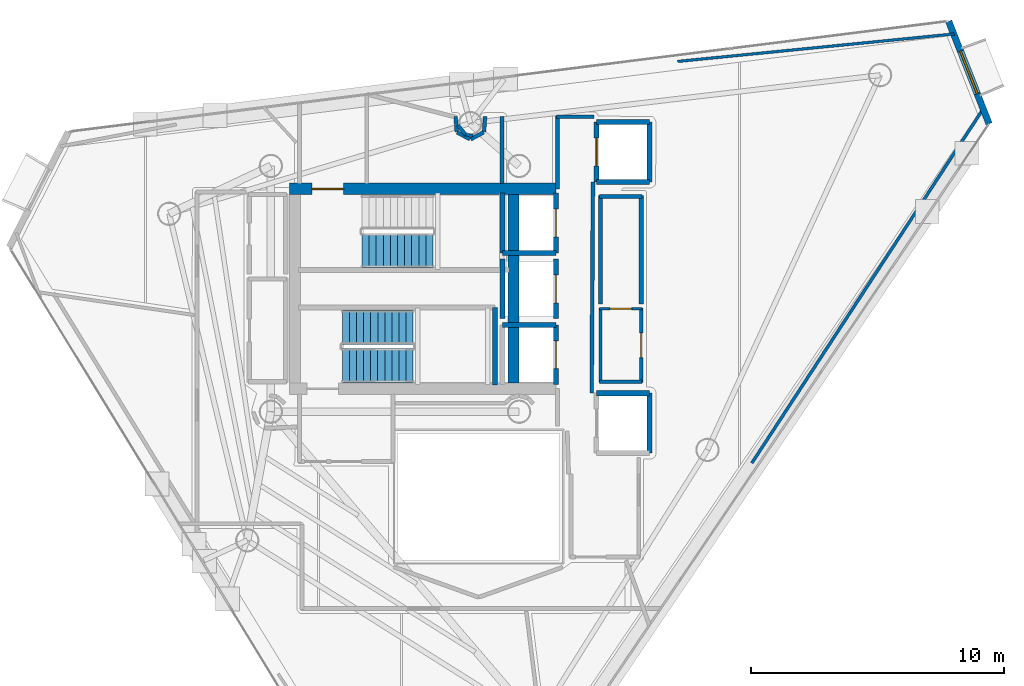
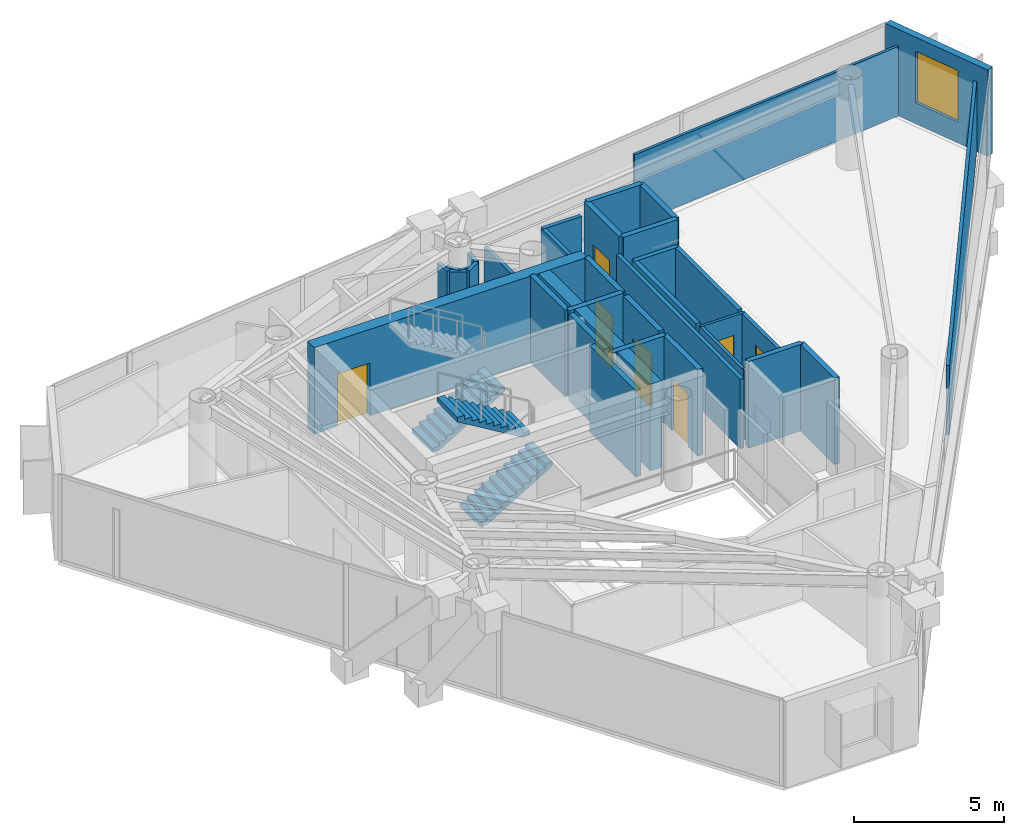
# One storey, part 20 of 23: 36 walls, 7 doors, 3 stair flights, 1 window, 8 openings, 2 elements without a shape of their own.
"""IFC4 building model written with IfcOpenShell, lengths in metres."""

from ifc_helpers import new_model, si_unit, direction, frame, frame_2d, origin, place, context, subcontext, project, spatial, polyline, rectangle, outline, extrude, material, layer, layer_set, type_object, element, fill, aggregate, save


model = new_model("IFC4")

# Units and contexts
model_context = context("Model", 3, precision=1e-05, world=origin(), true_north=direction((0.0, 1.0)))
body_context = subcontext(model_context, "Body", "Model", "MODEL_VIEW")
ifc_project = project(units=[si_unit("LENGTHUNIT", "METRE"), si_unit("AREAUNIT", "SQUARE_METRE"), si_unit("VOLUMEUNIT", "CUBIC_METRE"), si_unit("PLANEANGLEUNIT", "RADIAN"), si_unit("MASSUNIT", "GRAM", prefix="KILO")], contexts=[model_context])

# Site, building, storey
site_placement = place(None, origin())
site = spatial("IfcSite", under=ifc_project, at=site_placement, CompositionType="ELEMENT")
building_placement = place(site_placement, origin())
building = spatial("IfcBuilding", under=site, at=building_placement, Name="Qianvela Tower", CompositionType="ELEMENT")
storey_placement = place(building_placement, frame((0.0, 0.0, 284.300048828125)))
storey = spatial("IfcBuildingStorey", under=building, at=storey_placement, Name="L73", CompositionType="ELEMENT", Elevation=284.300048828125)

# Wall, opening, window
ifc_material_1 = material(Name="Terracotta Cladding on Concrete C40", Category="masonry")
ifc_layer_1 = layer(ifc_material_1, 0.260009765625)
ifc_layer_set_1 = layer_set([ifc_layer_1], Name="Terracotta Cladding on Concrete C40")
wall_type_1 = type_object("IfcWallType", Name="TERRACOTTA-WALL-260", PredefinedType="SOLIDWALL", material=ifc_layer_set_1)
wall_1_placement = place(storey_placement, frame((56.950927734375, 35.212890625, 0.0), z_axis=(0.0, 0.0, 1.0), x_axis=(-0.366445085985, 0.930439680451, 0.0)))
wall_1 = element("IfcWall", 1, at=wall_1_placement, inside=storey, type_object=wall_type_1, Name="L73 Terracotta Chamfer Facet Wall 1", PredefinedType="SOLIDWALL", context=body_context, shape_type="SweptSolid", body=[
    extrude(rectangle(XDim=4.35400390625, YDim=0.260009765625, at=frame_2d((2.177001953125, 0.0))), origin(), (0.0, 0.0, 1.0), 3.52001953125),
])
opening_1_placement = place(wall_1_placement, frame((1.27685546875, 0.0, 0.85009765625)))
opening_1 = element("IfcOpeningElement", 2, at=opening_1_placement, cuts=wall_1, Name="Opening W-01", PredefinedType="OPENING", context=body_context, shape_type="SweptSolid", body=[
    extrude(rectangle(XDim=1.800048828125, YDim=2.10009765625, at=frame_2d((0.89990234375, 1.050048828125))), frame((0.0, 0.139892578125, 0.0), z_axis=(0.0, -1.0, 0.0), x_axis=(1.0, 0.0, 0.0)), (0.0, 0.0, 1.0), 0.280029296875),
])
ifc_material_2 = material(Name="Thermally Broken Aluminium and Low-E Glass", Category="aluminium")
window_type = type_object("IfcWindowType", Name="WIN-TC-1800x2100", PartitioningType="DOUBLE_PANEL_VERTICAL", PredefinedType="WINDOW", material=ifc_material_2)
window_placement = place(opening_1_placement, origin())
window = element("IfcWindow", 3, at=window_placement, inside=storey, type_object=window_type, Name="L73 Chamfer Facet Window 1.1", OverallHeight=2.10009765625, OverallWidth=1.800048828125, PartitioningType="SINGLE_PANEL", PredefinedType="WINDOW", context=body_context, shape_type="SweptSolid", body=[
    extrude(rectangle(XDim=1.800048828125, YDim=2.10009765625, at=frame_2d((0.89990234375, 1.050048828125))), frame((0.0, 0.030029296875, 0.0), z_axis=(0.0, -1.0, 0.0), x_axis=(1.0, 0.0, 0.0)), (0.0, 0.0, 1.0), 0.06005859375),
])
fill(opening_1, window)

# Wall, opening, door
ifc_material_3 = material(Name="Concrete C50", Category="concrete")
ifc_layer_2 = layer(ifc_material_3, 0.449951171875)
ifc_layer_set_2 = layer_set([ifc_layer_2], Name="Concrete C50")
wall_type_2 = type_object("IfcWallType", Name="WT-CORE-450", PredefinedType="SHEAR", material=ifc_layer_set_2)
wall_2_placement = place(storey_placement, frame((29.330078125, 32.64501953125, 0.0), z_axis=(0.0, 0.0, 1.0), x_axis=(1.0, 0.0, 0.0)))
wall_2 = element("IfcWall", 4, at=wall_2_placement, inside=storey, type_object=wall_type_2, Name="L73 North Core Shear Wall", PredefinedType="SHEAR", context=body_context, shape_type="SweptSolid", body=[
    extrude(rectangle(XDim=10.52001953125, YDim=0.449951171875, at=frame_2d((5.260009765625, 0.0))), origin(), (0.0, 0.0, 1.0), 3.52001953125),
])
opening_2_placement = place(wall_2_placement, frame((0.89501953125, 0.0, 0.0)))
opening_2 = element("IfcOpeningElement", 5, at=opening_2_placement, cuts=wall_2, Name="Opening D-ST1", PredefinedType="OPENING", context=body_context, shape_type="SweptSolid", body=[
    extrude(rectangle(XDim=1.25, YDim=2.14990234375, at=frame_2d((0.625, 1.074951171875))), frame((0.0, 0.23486328125, 0.0), z_axis=(0.0, -1.0, 0.0), x_axis=(1.0, 0.0, 0.0)), (0.0, 0.0, 1.0), 0.469970703125),
])
ifc_material_4 = material(Name="Galvanised Fire Steel Q355B", Category="steel")
door_type_1 = type_object("IfcDoorType", Name="DT-STAIR-FD90", OperationType="NOTDEFINED", PredefinedType="DOOR", material=ifc_material_4)
door_1_placement = place(opening_2_placement, origin())
door_1 = element("IfcDoor", 6, at=door_1_placement, inside=storey, type_object=door_type_1, Name="L73 Stair ST-1 Exit Door", OperationType="SINGLE_SWING_RIGHT", OverallHeight=2.14990234375, OverallWidth=1.25, PredefinedType="DOOR", context=body_context, shape_type="SweptSolid", body=[
    extrude(rectangle(XDim=1.25, YDim=2.14990234375, at=frame_2d((0.625, 1.074951171875))), frame((0.0, 0.02490234375, 0.0), z_axis=(0.0, -1.0, 0.0), x_axis=(1.0, 0.0, 0.0)), (0.0, 0.0, 1.0), 0.050048828125),
])
fill(opening_2, door_1)

# Walls
wall_3_placement = place(storey_placement, frame((38.179931640625, 24.97998046875, 0.0), z_axis=(0.0, 0.0, 1.0), x_axis=(0.0, 1.0, 0.0)))
element("IfcWall", 7, at=wall_3_placement, inside=storey, type_object=wall_type_2, Name="L73 East Spine Core Shear Wall", PredefinedType="SHEAR", context=body_context, shape_type="SweptSolid", body=[
    extrude(rectangle(XDim=7.43994140625, YDim=0.449951171875, at=frame_2d((3.719970703125, 0.0))), origin(), (0.0, 0.0, 1.0), 3.52001953125),
])
ifc_material_5 = material(Name="Fire-Rated Acoustic Gypsum Board")
ifc_layer_3 = layer(ifc_material_5, 0.14990234375)
ifc_layer_set_3 = layer_set([ifc_layer_3], Name="Fire-Rated Acoustic Gypsum Board")
wall_type_3 = type_object("IfcWallType", Name="WT-CORR-150", PredefinedType="PARTITIONING", material=ifc_layer_set_3)
wall_4_placement = place(storey_placement, frame((39.910888671875, 32.639892578125, 0.0), z_axis=(0.0, 0.0, 1.0), x_axis=(0.0, 1.0, 0.0)))
element("IfcWall", 8, at=wall_4_placement, inside=storey, type_object=wall_type_3, Name="L73 Partition 12", PredefinedType="PARTITIONING", context=body_context, shape_type="SweptSolid", body=[
    extrude(rectangle(XDim=2.880126953125, YDim=0.14990234375, at=frame_2d((1.43994140625, 0.0))), origin(), (0.0, 0.0, 1.0), 2.83984375),
])
wall_5_placement = place(storey_placement, frame((39.8798828125, 35.489013671875, 0.0), z_axis=(0.0, 0.0, 1.0), x_axis=(1.0, 0.0, 0.0)))
element("IfcWall", 9, at=wall_5_placement, inside=storey, type_object=wall_type_3, Name="L73 Partition 13", PredefinedType="PARTITIONING", context=body_context, shape_type="SweptSolid", body=[
    extrude(rectangle(XDim=1.480224609375, YDim=0.14990234375, at=frame_2d((0.740234375, 0.0))), origin(), (0.0, 0.0, 1.0), 2.83984375),
])
wall_6_placement = place(storey_placement, frame((41.3134765625, 32.919921875, 0.0), z_axis=(0.0, 0.0, 1.0), x_axis=(-0.005942518022, -0.999982343084, 0.0)))
element("IfcWall", 10, at=wall_6_placement, inside=storey, type_object=wall_type_3, Name="L73 Partition 14 seg 2", PredefinedType="PARTITIONING", context=body_context, shape_type="SweptSolid", body=[
    extrude(rectangle(XDim=8.340087890625, YDim=0.14990234375, at=frame_2d((4.169921875, 0.0))), origin(), (0.0, 0.0, 1.0), 2.83984375),
])
wall_7_placement = place(storey_placement, frame((35.89404296875, 35.497802734375, 0.0), z_axis=(0.0, 0.0, 1.0), x_axis=(0.07354059826, -0.997292224179, 0.0)))
element("IfcWall", 11, at=wall_7_placement, inside=storey, type_object=wall_type_3, Name="L73 Partition 56", PredefinedType="PARTITIONING", context=body_context, shape_type="SweptSolid", body=[
    extrude(rectangle(XDim=0.59765625, YDim=0.14990234375, at=frame_2d((0.298828125, 0.0))), origin(), (0.0, 0.0, 1.0), 2.83984375),
])
for number, where, z_axis, x_axis, name in (
    (12, (35.9541015625, 34.876708984375, 0.0), (0.0, 0.0, 1.0), (0.882047254832, -0.471160949405, 0.0), "L73 Partition 57"),
    (13, (36.490478515625, 34.605712890625, 0.0), (0.0, 0.0, 1.0), (0.882047254832, 0.471160949405, 0.0), "L73 Partition 58"),
):
    element("IfcWall", number, at=place(storey_placement, frame(where, z_axis=z_axis, x_axis=x_axis)), inside=storey, type_object=wall_type_3, Name=name, PredefinedType="PARTITIONING", context=body_context, shape_type="SweptSolid", body=[
        extrude(rectangle(XDim=0.5751953125, YDim=0.14990234375, at=frame_2d((0.28759765625, 0.0))), origin(), (0.0, 0.0, 1.0), 2.83984375),
    ])
wall_8_placement = place(storey_placement, frame((37.01416015625, 34.90185546875, 0.0), z_axis=(0.0, 0.0, 1.0), x_axis=(0.073134230676, 0.997322106595, 0.0)))
element("IfcWall", 14, at=wall_8_placement, inside=storey, type_object=wall_type_3, Name="L73 Partition 59", PredefinedType="PARTITIONING", context=body_context, shape_type="SweptSolid", body=[
    extrude(rectangle(XDim=0.59765625, YDim=0.14990234375, at=frame_2d((0.298828125, 0.0))), origin(), (0.0, 0.0, 1.0), 2.83984375),
])
wall_9_placement = place(storey_placement, frame((37.718994140625, 35.5, 0.0), z_axis=(0.0, 0.0, 1.0), x_axis=(0.0, -1.0, 0.0)))
element("IfcWall", 15, at=wall_9_placement, inside=storey, type_object=wall_type_3, Name="L73 Partition 61", PredefinedType="PARTITIONING", context=body_context, shape_type="SweptSolid", body=[
    extrude(rectangle(XDim=2.64208984375, YDim=0.14990234375, at=frame_2d((1.321044921875, 0.0))), origin(), (0.0, 0.0, 1.0), 2.83984375),
])

# Wall, opening, door
ifc_material_6 = material(Name="Lightweight Gypsum Room Partition")
ifc_layer_4 = layer(ifc_material_6, 0.10498046875)
ifc_layer_set_4 = layer_set([ifc_layer_4], Name="Lightweight Gypsum Room Partition")
wall_type_4 = type_object("IfcWallType", Name="WT-PART-105", PredefinedType="PARTITIONING", material=ifc_layer_set_4)
wall_10_placement = place(storey_placement, frame((41.580078125, 27.9189453125, 0.0), z_axis=(0.0, 0.0, 1.0), x_axis=(1.0, 0.0, 0.0)))
wall_10 = element("IfcWall", 16, at=wall_10_placement, inside=storey, type_object=wall_type_4, Name="L73 Partition 21", PredefinedType="PARTITIONING", context=body_context, shape_type="SweptSolid", body=[
    extrude(rectangle(XDim=1.669921875, YDim=0.10498046875, at=frame_2d((0.8349609375, 0.0))), origin(), (0.0, 0.0, 1.0), 2.83984375),
])
opening_3_placement = place(wall_10_placement, frame((0.405029296875, 0.0, 0.0)))
opening_3 = element("IfcOpeningElement", 17, at=opening_3_placement, cuts=wall_10, Name="Opening D-WC1", PredefinedType="OPENING", context=body_context, shape_type="SweptSolid", body=[
    extrude(rectangle(XDim=0.860107421875, YDim=2.050048828125, at=frame_2d((0.43017578125, 1.02490234375))), frame((0.0, 0.0625, 0.0), z_axis=(0.0, -1.0, 0.0), x_axis=(1.0, 0.0, 0.0)), (0.0, 0.0, 1.0), 0.125),
])
ifc_material_7 = material(Name="Moisture-Sealed Acoustic Timber Door", Category="wood")
door_type_2 = type_object("IfcDoorType", Name="DT-WC-860", OperationType="NOTDEFINED", PredefinedType="DOOR", material=ifc_material_7)
door_2_placement = place(opening_3_placement, origin())
door_2 = element("IfcDoor", 18, at=door_2_placement, inside=storey, type_object=door_type_2, Name="L73 Door L73 Accessible WC to L73 Cleaner Store", OperationType="SINGLE_SWING_LEFT", OverallHeight=2.050048828125, OverallWidth=0.860107421875, PredefinedType="DOOR", context=body_context, shape_type="SweptSolid", body=[
    extrude(rectangle(XDim=0.860107421875, YDim=2.050048828125, at=frame_2d((0.43017578125, 1.02490234375))), frame((0.0, 0.02490234375, 0.0), z_axis=(0.0, -1.0, 0.0), x_axis=(1.0, 0.0, 0.0)), (0.0, 0.0, 1.0), 0.050048828125),
])
fill(opening_3, door_2)

# Walls
wall_11_placement = place(storey_placement, frame((36.57861328125, 34.75390625, 0.0), z_axis=(0.0, 0.0, 1.0), x_axis=(-0.994396027142, 0.105719161958, 0.0)))
element("IfcWall", 19, at=wall_11_placement, inside=storey, type_object=wall_type_4, Name="L73 Partition 96", PredefinedType="PARTITIONING", context=body_context, shape_type="SweptSolid", body=[
    extrude(rectangle(XDim=0.30712890625, YDim=0.10498046875, at=frame_2d((0.153564453125, 0.0))), origin(), (0.0, 0.0, 1.0), 2.83984375),
])
wall_12_placement = place(storey_placement, frame((44.6591796875, 37.677001953125, 0.0), z_axis=(0.0, 0.0, 1.0), x_axis=(0.995102645086, 0.098846981454, 0.0)))
element("IfcWall", 20, at=wall_12_placement, inside=storey, type_object=wall_type_4, Name="L73 Partition 99 seg 1", PredefinedType="PARTITIONING", context=body_context, shape_type="SweptSolid", body=[
    extrude(rectangle(XDim=10.96875, YDim=0.10498046875, at=frame_2d((5.484375, 0.0))), origin(), (0.0, 0.0, 1.0), 2.83984375),
])
ifc_material_8 = material(Name="Insulated Gypsum Stud Partition")
ifc_layer_5 = layer(ifc_material_8, 0.1201171875)
ifc_layer_set_5 = layer_set([ifc_layer_5], Name="Insulated Gypsum Stud Partition")
wall_type_5 = type_object("IfcWallType", Name="WT-PART-120", PredefinedType="PARTITIONING", material=ifc_layer_set_5)
wall_13_placement = place(storey_placement, frame((41.611083984375, 25.0, 0.0), z_axis=(0.0, 0.0, 1.0), x_axis=(0.0, 1.0, 0.0)))
element("IfcWall", 21, at=wall_13_placement, inside=storey, type_object=wall_type_5, Name="L73 Partition 20", PredefinedType="PARTITIONING", context=body_context, shape_type="SweptSolid", body=[
    extrude(rectangle(XDim=2.949951171875, YDim=0.1201171875, at=frame_2d((1.47509765625, 0.0))), origin(), (0.0, 0.0, 1.0), 2.83984375),
])
wall_14_placement = place(storey_placement, frame((56.728515625, 35.822509765625, 0.0), z_axis=(0.0, 0.0, 1.0), x_axis=(-0.546793705669, -0.83726736676, 0.0)))
element("IfcWall", 22, at=wall_14_placement, inside=storey, type_object=wall_type_5, Name="L73 Partition 101 seg 1", PredefinedType="PARTITIONING", context=body_context, shape_type="SweptSolid", body=[
    extrude(rectangle(XDim=16.719970703125, YDim=0.1201171875, at=frame_2d((8.35986328125, 0.0))), origin(), (0.0, 0.0, 1.0), 2.83984375),
])
ifc_material_9 = material(Name="Sanitary Service Chase Partition")
ifc_layer_6 = layer(ifc_material_9, 0.1650390625)
ifc_layer_set_6 = layer_set([ifc_layer_6], Name="Sanitary Service Chase Partition")
wall_type_6 = type_object("IfcWallType", Name="WT-PLUMB-165", PredefinedType="PLUMBINGWALL", material=ifc_layer_set_6)
wall_15_placement = place(storey_placement, frame((41.611083984375, 28.110107421875, 0.0), z_axis=(0.0, 0.0, 1.0), x_axis=(0.0, 1.0, 0.0)))
element("IfcWall", 23, at=wall_15_placement, inside=storey, type_object=wall_type_6, Name="L73 Partition 24", PredefinedType="PLUMBINGWALL", context=body_context, shape_type="SweptSolid", body=[
    extrude(rectangle(XDim=4.269775390625, YDim=0.1650390625, at=frame_2d((2.134765625, 0.0))), origin(), (0.0, 0.0, 1.0), 2.83984375),
])
wall_16_placement = place(storey_placement, frame((41.580078125, 32.34912109375, 0.0), z_axis=(0.0, 0.0, 1.0), x_axis=(1.0, 0.0, 0.0)))
element("IfcWall", 24, at=wall_16_placement, inside=storey, type_object=wall_type_6, Name="L73 Partition 25", PredefinedType="PLUMBINGWALL", context=body_context, shape_type="SweptSolid", body=[
    extrude(rectangle(XDim=1.669921875, YDim=0.1650390625, at=frame_2d((0.8349609375, 0.0))), origin(), (0.0, 0.0, 1.0), 2.83984375),
])
wall_17_placement = place(storey_placement, frame((43.218994140625, 32.3798828125, 0.0), z_axis=(0.0, 0.0, 1.0), x_axis=(0.0, -1.0, 0.0)))
element("IfcWall", 25, at=wall_17_placement, inside=storey, type_object=wall_type_6, Name="L73 Partition 26", PredefinedType="PLUMBINGWALL", context=body_context, shape_type="SweptSolid", body=[
    extrude(rectangle(XDim=4.269775390625, YDim=0.1650390625, at=frame_2d((2.134765625, 0.0))), origin(), (0.0, 0.0, 1.0), 2.83984375),
])
ifc_material_10 = material(Name="Acoustic Double Gypsum Stud Partition")
ifc_layer_7 = layer(ifc_material_10, 0.139892578125)
ifc_layer_set_7 = layer_set([ifc_layer_7], Name="Acoustic Double Gypsum Stud Partition")
wall_type_7 = type_object("IfcWallType", Name="WT-ROOM-140", PredefinedType="PARTITIONING", material=ifc_layer_set_7)
wall_18_placement = place(storey_placement, frame((43.25, 25.031005859375, 0.0), z_axis=(0.0, 0.0, 1.0), x_axis=(-1.0, 0.0, 0.0)))
element("IfcWall", 26, at=wall_18_placement, inside=storey, type_object=wall_type_7, Name="L73 Partition 19", PredefinedType="PARTITIONING", context=body_context, shape_type="SweptSolid", body=[
    extrude(rectangle(XDim=1.669921875, YDim=0.139892578125, at=frame_2d((0.8349609375, 0.0))), origin(), (0.0, 0.0, 1.0), 2.83984375),
])

# Wall, opening, door
wall_19_placement = place(storey_placement, frame((43.218994140625, 27.949951171875, 0.0), z_axis=(0.0, 0.0, 1.0), x_axis=(0.0, -1.0, 0.0)))
wall_19 = element("IfcWall", 27, at=wall_19_placement, inside=storey, type_object=wall_type_7, Name="L73 Partition 22", PredefinedType="PARTITIONING", context=body_context, shape_type="SweptSolid", body=[
    extrude(rectangle(XDim=2.949951171875, YDim=0.139892578125, at=frame_2d((1.47509765625, 0.0))), origin(), (0.0, 0.0, 1.0), 2.83984375),
])
opening_4_placement = place(wall_19_placement, frame((0.985107421875, 0.0, 0.0)))
opening_4 = element("IfcOpeningElement", 28, at=opening_4_placement, cuts=wall_19, Name="Opening D-RM1", PredefinedType="OPENING", context=body_context, shape_type="SweptSolid", body=[
    extrude(rectangle(XDim=0.97998046875, YDim=2.10009765625, at=frame_2d((0.489990234375, 1.050048828125))), frame((0.0, 0.079833984375, 0.0), z_axis=(0.0, -1.0, 0.0), x_axis=(1.0, 0.0, 0.0)), (0.0, 0.0, 1.0), 0.159912109375),
])
ifc_material_11 = material(Name="Solid Core Acoustic Timber Fire Door", Category="wood")
door_type_3 = type_object("IfcDoorType", Name="DT-ROOM-FD60", OperationType="NOTDEFINED", PredefinedType="DOOR", material=ifc_material_11)
door_3_placement = place(opening_4_placement, origin())
door_3 = element("IfcDoor", 29, at=door_3_placement, inside=storey, type_object=door_type_3, Name="L73 Door L73 Cleaner Store to Social Sitting Lounge L73-03", OperationType="SINGLE_SWING_RIGHT", OverallHeight=2.10009765625, OverallWidth=0.97998046875, PredefinedType="DOOR", context=body_context, shape_type="SweptSolid", body=[
    extrude(rectangle(XDim=0.97998046875, YDim=2.10009765625, at=frame_2d((0.489990234375, 1.050048828125))), frame((0.0, 0.02490234375, 0.0), z_axis=(0.0, -1.0, 0.0), x_axis=(1.0, 0.0, 0.0)), (0.0, 0.0, 1.0), 0.050048828125),
])
fill(opening_4, door_3)

# Walls
wall_20_placement = place(storey_placement, frame((36.2939453125, 34.775146484375, 0.0), z_axis=(0.0, 0.0, 1.0), x_axis=(-0.628803993136, 0.777563848321, 0.0)))
element("IfcWall", 30, at=wall_20_placement, inside=storey, type_object=wall_type_7, Name="L73 Partition 97", PredefinedType="PARTITIONING", context=body_context, shape_type="SweptSolid", body=[
    extrude(rectangle(XDim=0.4990234375, YDim=0.139892578125, at=frame_2d((0.24951171875, 0.0))), origin(), (0.0, 0.0, 1.0), 2.83984375),
])
ifc_material_12 = material(Name="Concrete C50", Category="concrete")
ifc_layer_8 = layer(ifc_material_12, 0.199951171875)
ifc_layer_set_8 = layer_set([ifc_layer_8], Name="Concrete C50")
wall_type_8 = type_object("IfcWallType", Name="WT-SHAFT-200", PredefinedType="SOLIDWALL", material=ifc_layer_set_8)
wall_21_placement = place(storey_placement, frame((37.449951171875, 24.89990234375, 0.0), z_axis=(0.0, 0.0, 1.0), x_axis=(0.0, 1.0, 0.0)))
element("IfcWall", 31, at=wall_21_placement, inside=storey, type_object=wall_type_8, Name="L73 Stair ST-2 East Wall", PredefinedType="SOLIDWALL", context=body_context, shape_type="SweptSolid", body=[
    extrude(rectangle(XDim=3.06005859375, YDim=0.199951171875, at=frame_2d((1.530029296875, 0.0))), origin(), (0.0, 0.0, 1.0), 3.52001953125),
])

# Wall, opening, door
wall_22_placement = place(storey_placement, frame((39.85009765625, 30.1201171875, 0.0), z_axis=(0.0, 0.0, 1.0), x_axis=(0.0, 1.0, 0.0)))
wall_22 = element("IfcWall", 32, at=wall_22_placement, inside=storey, type_object=wall_type_8, Name="L73 Lift FL-1 E Shaft Wall", PredefinedType="SOLIDWALL", context=body_context, shape_type="SweptSolid", body=[
    extrude(rectangle(XDim=2.35986328125, YDim=0.199951171875, at=frame_2d((1.179931640625, 0.0))), origin(), (0.0, 0.0, 1.0), 3.52001953125),
])
opening_5_placement = place(wall_22_placement, frame((0.6298828125, 0.0, 0.0)))
opening_5 = element("IfcOpeningElement", 33, at=opening_5_placement, cuts=wall_22, Name="Opening LD-01", PredefinedType="OPENING", context=body_context, shape_type="SweptSolid", body=[
    extrude(rectangle(XDim=1.10009765625, YDim=2.14990234375, at=frame_2d((0.550048828125, 1.074951171875))), frame((0.0, 0.10986328125, 0.0), z_axis=(0.0, -1.0, 0.0), x_axis=(1.0, 0.0, 0.0)), (0.0, 0.0, 1.0), 0.219970703125),
])
ifc_material_13 = material(Name="Brushed Stainless Steel Lift Landing Door", Category="steel")
door_type_4 = type_object("IfcDoorType", Name="DT-LIFT-SLIDE-1100", OperationType="SLIDING_TO_LEFT", PredefinedType="DOOR", material=ifc_material_13)
door_4_placement = place(opening_5_placement, origin())
door_4 = element("IfcDoor", 34, at=door_4_placement, inside=storey, type_object=door_type_4, Name="L73 Lift FL-1 Sliding Landing Door", OperationType="SLIDING_TO_LEFT", OverallHeight=2.14990234375, OverallWidth=1.10009765625, PredefinedType="DOOR", context=body_context, shape_type="SweptSolid", body=[
    extrude(rectangle(XDim=1.10009765625, YDim=2.14990234375, at=frame_2d((0.550048828125, 1.074951171875))), frame((0.0, 0.02490234375, 0.0), z_axis=(0.0, -1.0, 0.0), x_axis=(1.0, 0.0, 0.0)), (0.0, 0.0, 1.0), 0.050048828125),
])
fill(opening_5, door_4)

# Walls
wall_23_placement = place(storey_placement, frame((37.75, 30.1201171875, 0.0), z_axis=(0.0, 0.0, 1.0), x_axis=(0.0, 1.0, 0.0)))
element("IfcWall", 35, at=wall_23_placement, inside=storey, type_object=wall_type_8, Name="L73 Lift FL-1 W Shaft Wall", PredefinedType="SOLIDWALL", context=body_context, shape_type="SweptSolid", body=[
    extrude(rectangle(XDim=2.35986328125, YDim=0.199951171875, at=frame_2d((1.179931640625, 0.0))), origin(), (0.0, 0.0, 1.0), 3.52001953125),
])
wall_24_placement = place(storey_placement, frame((37.75, 30.1201171875, 0.0), z_axis=(0.0, 0.0, 1.0), x_axis=(1.0, 0.0, 0.0)))
element("IfcWall", 36, at=wall_24_placement, inside=storey, type_object=wall_type_8, Name="L73 Lift FL-1 S Shaft Wall", PredefinedType="SOLIDWALL", context=body_context, shape_type="SweptSolid", body=[
    extrude(rectangle(XDim=2.10009765625, YDim=0.199951171875, at=frame_2d((1.050048828125, 0.0))), origin(), (0.0, 0.0, 1.0), 3.52001953125),
])

# Wall, opening, door
wall_25_placement = place(storey_placement, frame((39.85009765625, 24.919921875, 0.0), z_axis=(0.0, 0.0, 1.0), x_axis=(0.0, 1.0, 0.0)))
wall_25 = element("IfcWall", 37, at=wall_25_placement, inside=storey, type_object=wall_type_8, Name="L73 Lift FL-2 E Shaft Wall", PredefinedType="SOLIDWALL", context=body_context, shape_type="SweptSolid", body=[
    extrude(rectangle(XDim=2.360107421875, YDim=0.199951171875, at=frame_2d((1.18017578125, 0.0))), origin(), (0.0, 0.0, 1.0), 3.52001953125),
])
opening_6_placement = place(wall_25_placement, frame((0.6298828125, 0.0, 0.0)))
opening_6 = element("IfcOpeningElement", 38, at=opening_6_placement, cuts=wall_25, Name="Opening LD-01", PredefinedType="OPENING", context=body_context, shape_type="SweptSolid", body=[
    extrude(rectangle(XDim=1.10009765625, YDim=2.14990234375, at=frame_2d((0.550048828125, 1.074951171875))), frame((0.0, 0.10986328125, 0.0), z_axis=(0.0, -1.0, 0.0), x_axis=(1.0, 0.0, 0.0)), (0.0, 0.0, 1.0), 0.219970703125),
])
door_5_placement = place(opening_6_placement, origin())
door_5 = element("IfcDoor", 39, at=door_5_placement, inside=storey, type_object=door_type_4, Name="L73 Lift FL-2 Sliding Landing Door", OperationType="SLIDING_TO_LEFT", OverallHeight=2.14990234375, OverallWidth=1.10009765625, PredefinedType="DOOR", context=body_context, shape_type="SweptSolid", body=[
    extrude(rectangle(XDim=1.10009765625, YDim=2.14990234375, at=frame_2d((0.550048828125, 1.074951171875))), frame((0.0, 0.02490234375, 0.0), z_axis=(0.0, -1.0, 0.0), x_axis=(1.0, 0.0, 0.0)), (0.0, 0.0, 1.0), 0.050048828125),
])
fill(opening_6, door_5)

# Wall
wall_26_placement = place(storey_placement, frame((37.75, 27.280029296875, 0.0), z_axis=(0.0, 0.0, 1.0), x_axis=(1.0, 0.0, 0.0)))
element("IfcWall", 40, at=wall_26_placement, inside=storey, type_object=wall_type_8, Name="L73 Lift FL-2 N Shaft Wall", PredefinedType="SOLIDWALL", context=body_context, shape_type="SweptSolid", body=[
    extrude(rectangle(XDim=2.10009765625, YDim=0.199951171875, at=frame_2d((1.050048828125, 0.0))), origin(), (0.0, 0.0, 1.0), 3.52001953125),
])

# Wall, opening, door
wall_27_placement = place(storey_placement, frame((39.85009765625, 27.52001953125, 0.0), z_axis=(0.0, 0.0, 1.0), x_axis=(0.0, 1.0, 0.0)))
wall_27 = element("IfcWall", 41, at=wall_27_placement, inside=storey, type_object=wall_type_8, Name="L73 Lift PL-H1 E Shaft Wall", PredefinedType="SOLIDWALL", context=body_context, shape_type="SweptSolid", body=[
    extrude(rectangle(XDim=2.35986328125, YDim=0.199951171875, at=frame_2d((1.179931640625, 0.0))), origin(), (0.0, 0.0, 1.0), 3.52001953125),
])
opening_7_placement = place(wall_27_placement, frame((0.6298828125, 0.0, 0.0)))
opening_7 = element("IfcOpeningElement", 42, at=opening_7_placement, cuts=wall_27, Name="Opening LD-01", PredefinedType="OPENING", context=body_context, shape_type="SweptSolid", body=[
    extrude(rectangle(XDim=1.10009765625, YDim=2.14990234375, at=frame_2d((0.550048828125, 1.074951171875))), frame((0.0, 0.10986328125, 0.0), z_axis=(0.0, -1.0, 0.0), x_axis=(1.0, 0.0, 0.0)), (0.0, 0.0, 1.0), 0.219970703125),
])
door_6_placement = place(opening_7_placement, origin())
door_6 = element("IfcDoor", 43, at=door_6_placement, inside=storey, type_object=door_type_4, Name="L73 Lift PL-H1 Sliding Landing Door", OperationType="SLIDING_TO_LEFT", OverallHeight=2.14990234375, OverallWidth=1.10009765625, PredefinedType="DOOR", context=body_context, shape_type="SweptSolid", body=[
    extrude(rectangle(XDim=1.10009765625, YDim=2.14990234375, at=frame_2d((0.550048828125, 1.074951171875))), frame((0.0, 0.02490234375, 0.0), z_axis=(0.0, -1.0, 0.0), x_axis=(1.0, 0.0, 0.0)), (0.0, 0.0, 1.0), 0.050048828125),
])
fill(opening_7, door_6)

# Walls
wall_28_placement = place(storey_placement, frame((37.75, 27.52001953125, 0.0), z_axis=(0.0, 0.0, 1.0), x_axis=(0.0, 1.0, 0.0)))
element("IfcWall", 44, at=wall_28_placement, inside=storey, type_object=wall_type_8, Name="L73 Lift PL-H1 W Shaft Wall", PredefinedType="SOLIDWALL", context=body_context, shape_type="SweptSolid", body=[
    extrude(rectangle(XDim=2.35986328125, YDim=0.199951171875, at=frame_2d((1.179931640625, 0.0))), origin(), (0.0, 0.0, 1.0), 3.52001953125),
])
wall_29_placement = place(storey_placement, frame((43.550048828125, 22.219970703125, 0.0), z_axis=(0.0, 0.0, 1.0), x_axis=(0.0, 1.0, 0.0)))
element("IfcWall", 45, at=wall_29_placement, inside=storey, type_object=wall_type_8, Name="L73 Lift PL-H2 E Shaft Wall", PredefinedType="SOLIDWALL", context=body_context, shape_type="SweptSolid", body=[
    extrude(rectangle(XDim=2.360107421875, YDim=0.199951171875, at=frame_2d((1.18017578125, 0.0))), origin(), (0.0, 0.0, 1.0), 3.52001953125),
])
wall_30_placement = place(storey_placement, frame((41.449951171875, 24.580078125, 0.0), z_axis=(0.0, 0.0, 1.0), x_axis=(1.0, 0.0, 0.0)))
element("IfcWall", 46, at=wall_30_placement, inside=storey, type_object=wall_type_8, Name="L73 Lift PL-H2 N Shaft Wall", PredefinedType="SOLIDWALL", context=body_context, shape_type="SweptSolid", body=[
    extrude(rectangle(XDim=2.10009765625, YDim=0.199951171875, at=frame_2d((1.050048828125, 0.0))), origin(), (0.0, 0.0, 1.0), 3.52001953125),
])
wall_31_placement = place(storey_placement, frame((43.550048828125, 32.919921875, 0.0), z_axis=(0.0, 0.0, 1.0), x_axis=(0.0, 1.0, 0.0)))
element("IfcWall", 47, at=wall_31_placement, inside=storey, type_object=wall_type_8, Name="L73 Lift PL-H3 E Shaft Wall", PredefinedType="SOLIDWALL", context=body_context, shape_type="SweptSolid", body=[
    extrude(rectangle(XDim=2.360107421875, YDim=0.199951171875, at=frame_2d((1.18017578125, 0.0))), origin(), (0.0, 0.0, 1.0), 3.52001953125),
])

# Wall, opening, door
wall_32_placement = place(storey_placement, frame((41.449951171875, 32.919921875, 0.0), z_axis=(0.0, 0.0, 1.0), x_axis=(0.0, 1.0, 0.0)))
wall_32 = element("IfcWall", 48, at=wall_32_placement, inside=storey, type_object=wall_type_8, Name="L73 Lift PL-H3 W Shaft Wall", PredefinedType="SOLIDWALL", context=body_context, shape_type="SweptSolid", body=[
    extrude(rectangle(XDim=2.360107421875, YDim=0.199951171875, at=frame_2d((1.18017578125, 0.0))), origin(), (0.0, 0.0, 1.0), 3.52001953125),
])
opening_8_placement = place(wall_32_placement, frame((0.6298828125, 0.0, 0.0)))
opening_8 = element("IfcOpeningElement", 49, at=opening_8_placement, cuts=wall_32, Name="Opening LD-01", PredefinedType="OPENING", context=body_context, shape_type="SweptSolid", body=[
    extrude(rectangle(XDim=1.10009765625, YDim=2.14990234375, at=frame_2d((0.550048828125, 1.074951171875))), frame((0.0, 0.10986328125, 0.0), z_axis=(0.0, -1.0, 0.0), x_axis=(1.0, 0.0, 0.0)), (0.0, 0.0, 1.0), 0.219970703125),
])
door_7_placement = place(opening_8_placement, origin())
door_7 = element("IfcDoor", 50, at=door_7_placement, inside=storey, type_object=door_type_4, Name="L73 Lift PL-H3 Sliding Landing Door", OperationType="SLIDING_TO_LEFT", OverallHeight=2.14990234375, OverallWidth=1.10009765625, PredefinedType="DOOR", context=body_context, shape_type="SweptSolid", body=[
    extrude(rectangle(XDim=1.10009765625, YDim=2.14990234375, at=frame_2d((0.550048828125, 1.074951171875))), frame((0.0, 0.02490234375, 0.0), z_axis=(0.0, -1.0, 0.0), x_axis=(1.0, 0.0, 0.0)), (0.0, 0.0, 1.0), 0.050048828125),
])
fill(opening_8, door_7)

# Walls
for number, where, z_axis, x_axis, name in (
    (51, (41.449951171875, 35.280029296875, 0.0), (0.0, 0.0, 1.0), (1.0, 0.0, 0.0), "L73 Lift PL-H3 N Shaft Wall"),
    (52, (41.449951171875, 32.919921875, 0.0), (0.0, 0.0, 1.0), (1.0, 0.0, 0.0), "L73 Lift PL-H3 S Shaft Wall"),
):
    element("IfcWall", number, at=place(storey_placement, frame(where, z_axis=z_axis, x_axis=x_axis)), inside=storey, type_object=wall_type_8, Name=name, PredefinedType="SOLIDWALL", context=body_context, shape_type="SweptSolid", body=[
        extrude(rectangle(XDim=2.10009765625, YDim=0.199951171875, at=frame_2d((1.050048828125, 0.0))), origin(), (0.0, 0.0, 1.0), 3.52001953125),
    ])

# Stair, stair flight
ifc_material_14 = material(Name="Concrete C40", Category="concrete")
stair_type = type_object("IfcStairType", Name="ST-DOGLEG-1350-R168-N22", PredefinedType="HALF_TURN_STAIR", material=ifc_material_14)
stair_1_placement = place(storey_placement, origin())
stair_1 = element("IfcStair", 53, at=stair_1_placement, inside=storey, type_object=stair_type, Name="L73 Smoke-Proof Core Stair ST-1", PredefinedType="HALF_TURN_STAIR")
ifc_material_15 = material(Name="Concrete C40", Category="concrete")
stair_flight_type = type_object("IfcStairFlightType", Name="STF-STRAIGHT-R168-P11", PredefinedType="STRAIGHT", material=ifc_material_15)
stair_flight_1_placement = place(storey_placement, frame((32.199951171875, 30.215087890625, 0.0), z_axis=(0.0, 0.0, 1.0), x_axis=(1.0, 0.0, 0.0)))
stair_flight_1 = element("IfcStairFlight", 54, at=stair_flight_1_placement, type_object=stair_flight_type, Name="ST-1 flight 1", NumberOfRisers=11, NumberOfTreads=10, PredefinedType="STRAIGHT", RiserHeight=0.168181818, TreadLength=0.28, context=body_context, shape_type="SweptSolid", body=[
    extrude(outline(polyline([(0.0, 0.0), (0.0, 0.168212890625), (0.280029296875, 0.168212890625), (0.280029296875, 0.33642578125), (0.56005859375, 0.33642578125), (0.56005859375, 0.504638671875), (0.840087890625, 0.504638671875), (0.840087890625, 0.672607421875), (1.1201171875, 0.672607421875), (1.1201171875, 0.8408203125), (1.39990234375, 0.8408203125), (1.39990234375, 1.009033203125), (1.679931640625, 1.009033203125), (1.679931640625, 1.17724609375), (1.9599609375, 1.17724609375), (1.9599609375, 1.345458984375), (2.239990234375, 1.345458984375), (2.239990234375, 1.513671875), (2.52001953125, 1.513671875), (2.52001953125, 1.681884765625), (2.800048828125, 1.681884765625), (2.800048828125, 1.85009765625), (2.800048828125, 1.5068359375), (0.291015625, 0.0), (0.0, 0.0)])), frame((0.0, 0.675048828125, 0.0), z_axis=(0.0, -1.0, 0.0), x_axis=(1.0, 0.0, 0.0)), (0.0, 0.0, 1.0), 1.35009765625),
])
aggregate(stair_1, [stair_flight_1])

# Stair, stair flights
stair_2_placement = place(storey_placement, origin())
stair_2 = element("IfcStair", 55, at=stair_2_placement, inside=storey, type_object=stair_type, Name="L73 Smoke-Proof Core Stair ST-2", PredefinedType="HALF_TURN_STAIR")
stair_flight_2_placement = place(storey_placement, frame((31.419921875, 25.675048828125, 0.0), z_axis=(0.0, 0.0, 1.0), x_axis=(1.0, 0.0, 0.0)))
stair_flight_2 = element("IfcStairFlight", 56, at=stair_flight_2_placement, type_object=stair_flight_type, Name="ST-2 flight 1", NumberOfRisers=11, NumberOfTreads=10, PredefinedType="STRAIGHT", RiserHeight=0.168181818, TreadLength=0.28, context=body_context, shape_type="SweptSolid", body=[
    extrude(outline(polyline([(0.0, 0.0), (0.0, 0.168212890625), (0.280029296875, 0.168212890625), (0.280029296875, 0.33642578125), (0.56005859375, 0.33642578125), (0.56005859375, 0.504638671875), (0.840087890625, 0.504638671875), (0.840087890625, 0.672607421875), (1.1201171875, 0.672607421875), (1.1201171875, 0.8408203125), (1.39990234375, 0.8408203125), (1.39990234375, 1.009033203125), (1.679931640625, 1.009033203125), (1.679931640625, 1.17724609375), (1.9599609375, 1.17724609375), (1.9599609375, 1.345458984375), (2.239990234375, 1.345458984375), (2.239990234375, 1.513671875), (2.52001953125, 1.513671875), (2.52001953125, 1.681884765625), (2.800048828125, 1.681884765625), (2.800048828125, 1.85009765625), (2.800048828125, 1.5068359375), (0.291015625, 0.0), (0.0, 0.0)])), frame((0.0, 0.675048828125, 0.0), z_axis=(0.0, -1.0, 0.0), x_axis=(1.0, 0.0, 0.0)), (0.0, 0.0, 1.0), 1.35009765625),
])
stair_flight_3_placement = place(storey_placement, frame((34.219970703125, 27.18505859375, 1.849853515625), z_axis=(0.0, 0.0, 1.0), x_axis=(-1.0, 0.0, 0.0)))
stair_flight_3 = element("IfcStairFlight", 57, at=stair_flight_3_placement, type_object=stair_flight_type, Name="ST-2 flight 2", NumberOfRisers=11, NumberOfTreads=10, PredefinedType="STRAIGHT", RiserHeight=0.168181818, TreadLength=0.28, context=body_context, shape_type="SweptSolid", body=[
    extrude(outline(polyline([(0.0, 0.0), (0.0, 0.168212890625), (0.280029296875, 0.168212890625), (0.280029296875, 0.33642578125), (0.56005859375, 0.33642578125), (0.56005859375, 0.504638671875), (0.840087890625, 0.504638671875), (0.840087890625, 0.672607421875), (1.1201171875, 0.672607421875), (1.1201171875, 0.8408203125), (1.39990234375, 0.8408203125), (1.39990234375, 1.009033203125), (1.679931640625, 1.009033203125), (1.679931640625, 1.17724609375), (1.9599609375, 1.17724609375), (1.9599609375, 1.345458984375), (2.239990234375, 1.345458984375), (2.239990234375, 1.513671875), (2.52001953125, 1.513671875), (2.52001953125, 1.681884765625), (2.800048828125, 1.681884765625), (2.800048828125, 1.85009765625), (2.800048828125, 1.5068359375), (0.291015625, 0.0), (0.0, 0.0)])), frame((0.0, 0.675048828125, 0.0), z_axis=(0.0, -1.0, 0.0), x_axis=(1.0, 0.0, 0.0)), (0.0, 0.0, 1.0), 1.35009765625),
])
aggregate(stair_2, [stair_flight_2, stair_flight_3])

save(model, "model.ifc")
